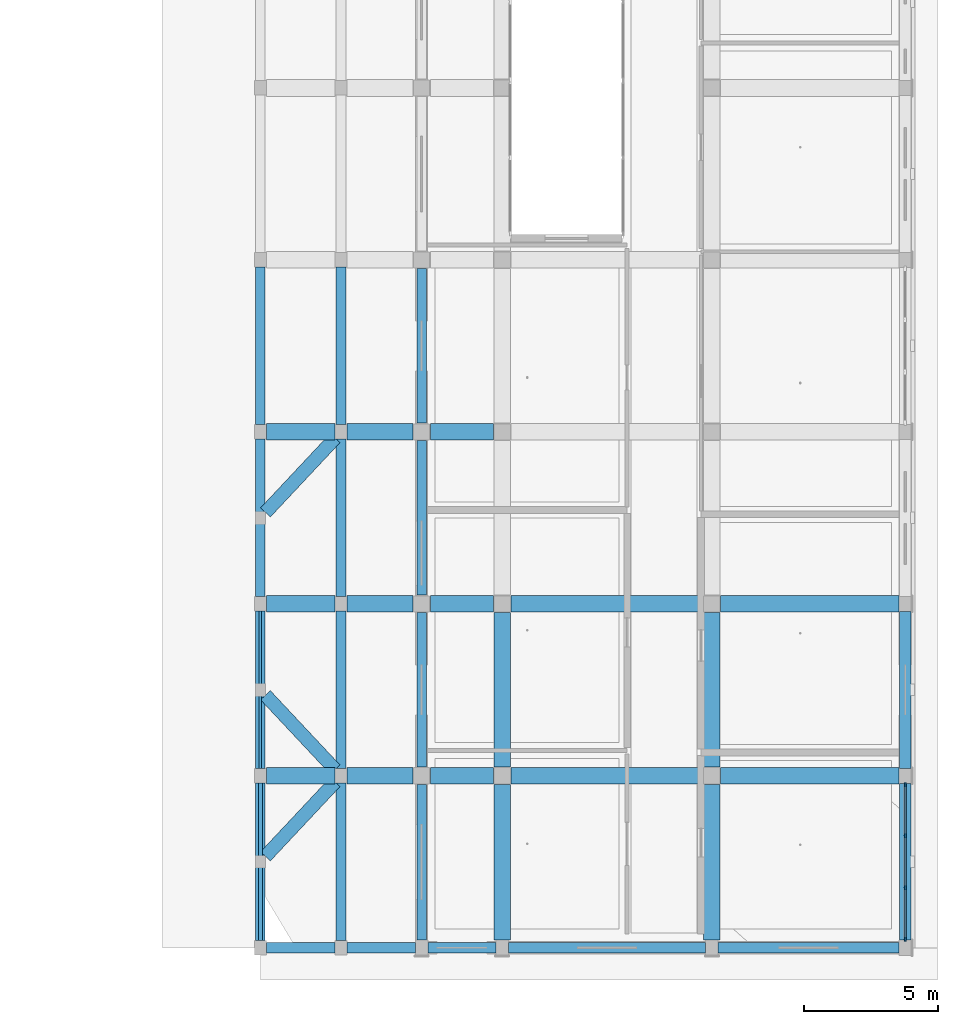
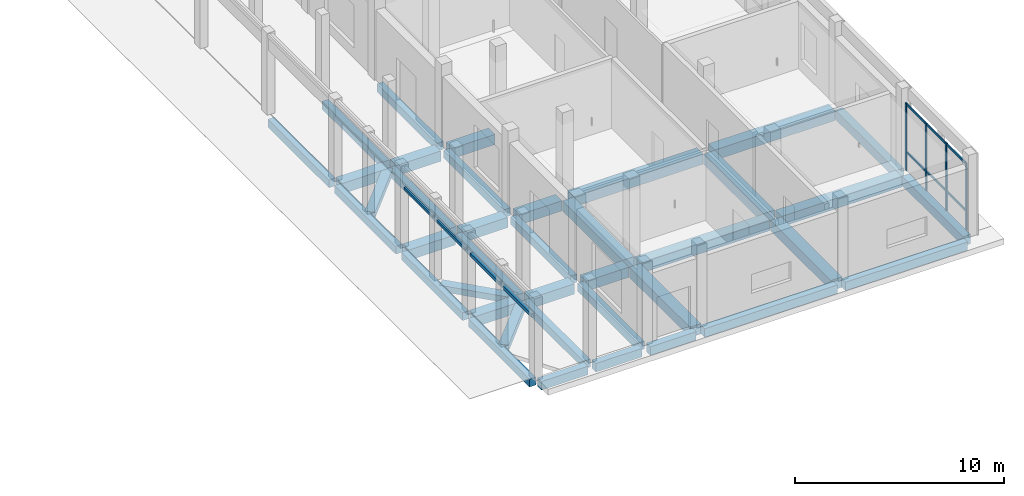
# One storey, part 32 of 88: 43 beams, 6 members, 1 element without a shape of its own.
"""IFC4 building model written with IfcOpenShell, lengths in metres."""

from ifc_helpers import new_model, si_unit, derived_unit, direction, frame, origin, origin_2d, place, context, subcontext, project, spatial, rectangle, hollow_rectangle, extrude, material, material_profile, profile_set, type_object, element, aggregate, save


model = new_model("IFC4")

# Units and contexts
model_context = context("Model", 3, precision=1e-05, world=origin(), true_north=direction((0.0, 1.0)))
body_context = subcontext(model_context, "Body", "Model", "MODEL_VIEW")
ifc_project = project(units=[si_unit("LENGTHUNIT", "METRE"), si_unit("AREAUNIT", "SQUARE_METRE"), si_unit("VOLUMEUNIT", "CUBIC_METRE"), si_unit("PLANEANGLEUNIT", "RADIAN"), si_unit("MASSUNIT", "GRAM", prefix="KILO"), derived_unit("THERMALTRANSMITTANCEUNIT", [(si_unit("POWERUNIT", "WATT"), 1), (si_unit("LENGTHUNIT", "METRE"), -2), (si_unit("THERMODYNAMICTEMPERATUREUNIT", "KELVIN"), -1)])], contexts=[model_context])

# Site, building, storey
site_placement = place(None, origin())
site = spatial("IfcSite", under=ifc_project, at=site_placement, CompositionType="ELEMENT")
building_placement = place(site_placement, origin())
building = spatial("IfcBuilding", under=site, at=building_placement, Name="Braskholm Square Health Centre", CompositionType="ELEMENT")
storey_placement = place(building_placement, origin())
storey = spatial("IfcBuildingStorey", under=building, at=storey_placement, Name="L01", CompositionType="ELEMENT", Elevation=0.0)

# Curtain wall, members
ifc_material_1 = material(Name="Low-E triple insulating glass (VLT 0.64)", Category="glass")
curtain_wall_type = type_object("IfcCurtainWallType", Name="UnitisedCurtainWall6200x4100", PredefinedType="NOTDEFINED", material=ifc_material_1)
curtain_wall_placement = place(storey_placement, origin())
curtain_wall = element("IfcCurtainWall", 1, at=curtain_wall_placement, inside=storey, type_object=curtain_wall_type, Name="East Storefront unitised curtain wall CW-L01-0046", PredefinedType="NOTDEFINED")
ifc_material_2 = material(Name="Architectural bronze anodised aluminium", Category="aluminium")
ifc_material_profile_1 = material_profile(ifc_material_2, rectangle(XDim=0.06494140625, YDim=0.14990234375, at=origin_2d()), Name="ALU-65X150")
ifc_profile_set_1 = profile_set([ifc_material_profile_1], Name="Architectural bronze anodised aluminium")
member_type_1 = type_object("IfcMemberType", Name="CurtainWallMullion65x150", PredefinedType="MULLION", material=ifc_profile_set_1)
member_1_placement = place(storey_placement, frame((163.800048828125, 4.52490234375, 0.0), z_axis=(0.0, 0.0, 1.0), x_axis=(1.0, 0.0, 0.0)))
member_1 = element("IfcMember", 2, at=member_1_placement, type_object=member_type_1, Name="CW-L01-0046 vertical mullion 1", PredefinedType="MULLION", context=body_context, shape_type="SweptSolid", body=[
    extrude(rectangle(XDim=0.06494140625, YDim=0.14990234375, at=origin_2d()), origin(), (0.0, 0.0, 1.0), 3.949951171875),
])
member_2_placement = place(storey_placement, frame((163.800048828125, 6.429931640625, 0.0), z_axis=(0.0, 0.0, 1.0), x_axis=(1.0, 0.0, 0.0)))
member_2 = element("IfcMember", 3, at=member_2_placement, type_object=member_type_1, Name="CW-L01-0046 vertical mullion 2", PredefinedType="MULLION", context=body_context, shape_type="SweptSolid", body=[
    extrude(rectangle(XDim=0.06494140625, YDim=0.14990234375, at=origin_2d()), origin(), (0.0, 0.0, 1.0), 3.949951171875),
])
member_3_placement = place(storey_placement, frame((163.800048828125, 8.3701171875, 0.0), z_axis=(0.0, 0.0, 1.0), x_axis=(1.0, 0.0, 0.0)))
member_3 = element("IfcMember", 4, at=member_3_placement, type_object=member_type_1, Name="CW-L01-0046 vertical mullion 3", PredefinedType="MULLION", context=body_context, shape_type="SweptSolid", body=[
    extrude(rectangle(XDim=0.06494140625, YDim=0.14990234375, at=origin_2d()), origin(), (0.0, 0.0, 1.0), 3.949951171875),
])
member_4_placement = place(storey_placement, frame((163.800048828125, 10.275146484375, 0.0), z_axis=(0.0, 0.0, 1.0), x_axis=(1.0, 0.0, 0.0)))
member_4 = element("IfcMember", 5, at=member_4_placement, type_object=member_type_1, Name="CW-L01-0046 vertical mullion 4", PredefinedType="MULLION", context=body_context, shape_type="SweptSolid", body=[
    extrude(rectangle(XDim=0.06494140625, YDim=0.14990234375, at=origin_2d()), origin(), (0.0, 0.0, 1.0), 3.949951171875),
])
ifc_material_profile_2 = material_profile(ifc_material_2, rectangle(XDim=0.06494140625, YDim=0.1201171875, at=origin_2d()), Name="ALU-65X120")
ifc_profile_set_2 = profile_set([ifc_material_profile_2], Name="Architectural bronze anodised aluminium")
member_type_2 = type_object("IfcMemberType", Name="CurtainWallTransom65x120", PredefinedType="USERDEFINED", material=ifc_profile_set_2)
member_5_placement = place(storey_placement, frame((163.800048828125, 4.534912109375, 1.1201171875), z_axis=(0.0, 1.0, 0.0), x_axis=(-1.0, 0.0, 0.0)))
member_5 = element("IfcMember", 6, at=member_5_placement, type_object=member_type_2, Name="CW-L01-0046 horizontal transom 1", ObjectType="TRANSOM", PredefinedType="USERDEFINED", context=body_context, shape_type="SweptSolid", body=[
    extrude(rectangle(XDim=0.06494140625, YDim=0.1201171875, at=origin_2d()), origin(), (0.0, 0.0, 1.0), 5.72998046875),
])
member_6_placement = place(storey_placement, frame((163.800048828125, 4.534912109375, 3.8798828125), z_axis=(0.0, 1.0, 0.0), x_axis=(-1.0, 0.0, 0.0)))
member_6 = element("IfcMember", 7, at=member_6_placement, type_object=member_type_2, Name="CW-L01-0046 horizontal transom 2", ObjectType="TRANSOM", PredefinedType="USERDEFINED", context=body_context, shape_type="SweptSolid", body=[
    extrude(rectangle(XDim=0.06494140625, YDim=0.1201171875, at=origin_2d()), origin(), (0.0, 0.0, 1.0), 5.72998046875),
])
aggregate(curtain_wall, [member_1, member_2, member_3, member_4, member_5, member_6])

# Beams
ifc_material_3 = material(Name="Steel ASTM A500 Grade C", Category="steel")
ifc_material_profile_3 = material_profile(ifc_material_3, hollow_rectangle(XDim=0.1015625, YDim=0.15234375, WallThickness=0.00732421875, at=origin_2d()), Name="HSS6X4X5/16")
ifc_profile_set_3 = profile_set([ifc_material_profile_3], Name="Steel ASTM A500 Grade C")
beam_type_1 = type_object("IfcBeamType", Name="OpeningLintelSteelHSS6X4", PredefinedType="LINTEL", material=ifc_profile_set_3)
for number, where, z_axis, x_axis, name in (
    (8, (139.800048828125, 10.8701171875, 3.449951171875), (0.0, 1.0, 0.0), (-1.0, 0.0, 0.0), "Colonnade opening lintel 007"),
    (9, (139.800048828125, 13.989990234375, 3.449951171875), (0.0, 1.0, 0.0), (-1.0, 0.0, 0.0), "Colonnade opening lintel 008"),
):
    element("IfcBeam", number, at=place(storey_placement, frame(where, z_axis=z_axis, x_axis=x_axis)), inside=storey, type_object=beam_type_1, Name=name, PredefinedType="LINTEL", context=body_context, shape_type="SweptSolid", body=[
        extrude(hollow_rectangle(XDim=0.1015625, YDim=0.15234375, WallThickness=0.00732421875, at=origin_2d()), origin(), (0.0, 0.0, 1.0), 2.739990234375),
    ])
ifc_material_profile_4 = material_profile(ifc_material_3, hollow_rectangle(XDim=0.15234375, YDim=0.203125, WallThickness=0.0087890625, at=origin_2d()), Name="HSS8X6X3/8")
ifc_profile_set_4 = profile_set([ifc_material_profile_4], Name="Steel ASTM A500 Grade C")
beam_type_2 = type_object("IfcBeamType", Name="OpeningLintelSteelHSS8X6", PredefinedType="LINTEL", material=ifc_profile_set_4)
for number, where, z_axis, x_axis, name in (
    (10, (139.800048828125, 4.469970703125, 3.449951171875), (0.0, 1.0, 0.0), (-1.0, 0.0, 0.0), "Colonnade opening lintel 005"),
    (11, (139.800048828125, 7.590087890625, 3.449951171875), (0.0, 1.0, 0.0), (-1.0, 0.0, 0.0), "Colonnade opening lintel 006"),
):
    element("IfcBeam", number, at=place(storey_placement, frame(where, z_axis=z_axis, x_axis=x_axis)), inside=storey, type_object=beam_type_2, Name=name, PredefinedType="LINTEL", context=body_context, shape_type="SweptSolid", body=[
        extrude(hollow_rectangle(XDim=0.15234375, YDim=0.203125, WallThickness=0.0087890625, at=origin_2d()), origin(), (0.0, 0.0, 1.0), 2.739990234375),
    ])
ifc_material_4 = material(Name="Concrete C35/45 (f'c = 35 MPa)", Category="concrete")
ifc_material_profile_5 = material_profile(ifc_material_4, rectangle(XDim=0.5, YDim=0.360107421875, at=origin_2d()), Name="RCB-500X360")
ifc_profile_set_5 = profile_set([ifc_material_profile_5], Name="Concrete C35/45 (f'c = 35 MPa)")
beam_type_3 = type_object("IfcBeamType", Name="PrimaryBandBeam500x360", PredefinedType="BEAM", material=ifc_profile_set_5)
beam_1_placement = place(storey_placement, frame((139.988525390625, 7.601318359375, -0.405029296875), z_axis=(0.683973263401, 0.729507076699, 0.0), x_axis=(-0.729507076699, 0.683973263401, 0.0)))
element("IfcBeam", 12, at=beam_1_placement, inside=storey, type_object=beam_type_3, Name="Tie beam PIL04 L01", PredefinedType="BEAM", context=body_context, shape_type="SweptSolid", body=[
    extrude(rectangle(XDim=0.5, YDim=0.360107421875, at=origin_2d()), origin(), (0.0, 0.0, 1.0), 3.790771484375),
])
for number, where, z_axis, x_axis, name in (
    (13, (139.988525390625, 13.598876953125, -0.405029296875), (0.683941128881, -0.72953720414, 0.0), (0.72953720414, 0.683941128881, 0.0), "Tie beam PIL05 L01"),
    (14, (139.988525390625, 20.401123046875, -0.405029296875), (0.683941128881, 0.72953720414, 0.0), (-0.72953720414, 0.683941128881, 0.0), "Tie beam PIL06 L01"),
):
    element("IfcBeam", number, at=place(storey_placement, frame(where, z_axis=z_axis, x_axis=x_axis)), inside=storey, type_object=beam_type_3, Name=name, PredefinedType="BEAM", context=body_context, shape_type="SweptSolid", body=[
        extrude(rectangle(XDim=0.5, YDim=0.360107421875, at=origin_2d()), origin(), (0.0, 0.0, 1.0), 3.791015625),
    ])
ifc_material_5 = material(Name="Concrete C40/50 (f'c = 40 MPa)", Category="concrete")
ifc_material_profile_6 = material_profile(ifc_material_5, rectangle(XDim=0.6201171875, YDim=0.60009765625, at=origin_2d()), Name="RCB-620X600")
ifc_profile_set_6 = profile_set([ifc_material_profile_6], Name="Concrete C40/50 (f'c = 40 MPa)")
beam_type_4 = type_object("IfcBeamType", Name="PrimarySubstructureBeam620x600", PredefinedType="BEAM", material=ifc_profile_set_6)
beam_2_placement = place(storey_placement, frame((148.800048828125, 4.47998046875, -0.60009765625), z_axis=(0.0, 1.0, 0.0), x_axis=(-1.0, 0.0, 0.0)))
element("IfcBeam", 15, at=beam_2_placement, inside=storey, type_object=beam_type_4, Name="Beam 20/A-B L01", PredefinedType="BEAM", context=body_context, shape_type="SweptSolid", body=[
    extrude(rectangle(XDim=0.6201171875, YDim=0.60009765625, at=origin_2d()), origin(), (0.0, 0.0, 1.0), 5.794921875),
])
beam_3_placement = place(storey_placement, frame((148.800048828125, 10.925048828125, -0.60009765625), z_axis=(0.0, 1.0, 0.0), x_axis=(-1.0, 0.0, 0.0)))
element("IfcBeam", 16, at=beam_3_placement, inside=storey, type_object=beam_type_4, Name="Beam 20/B-C L01", PredefinedType="BEAM", context=body_context, shape_type="SweptSolid", body=[
    extrude(rectangle(XDim=0.6201171875, YDim=0.60009765625, at=origin_2d()), origin(), (0.0, 0.0, 1.0), 5.75),
])
beam_4_placement = place(storey_placement, frame((156.60009765625, 4.47998046875, -0.60009765625), z_axis=(0.0, 1.0, 0.0), x_axis=(-1.0, 0.0, 0.0)))
element("IfcBeam", 17, at=beam_4_placement, inside=storey, type_object=beam_type_4, Name="Beam 21/A-B L01", PredefinedType="BEAM", context=body_context, shape_type="SweptSolid", body=[
    extrude(rectangle(XDim=0.6201171875, YDim=0.60009765625, at=origin_2d()), origin(), (0.0, 0.0, 1.0), 5.794921875),
])
beam_5_placement = place(storey_placement, frame((156.60009765625, 10.925048828125, -0.60009765625), z_axis=(0.0, 1.0, 0.0), x_axis=(-1.0, 0.0, 0.0)))
element("IfcBeam", 18, at=beam_5_placement, inside=storey, type_object=beam_type_4, Name="Beam 21/B-C L01", PredefinedType="BEAM", context=body_context, shape_type="SweptSolid", body=[
    extrude(rectangle(XDim=0.6201171875, YDim=0.60009765625, at=origin_2d()), origin(), (0.0, 0.0, 1.0), 5.75),
])
beam_6_placement = place(storey_placement, frame((140.02001953125, 10.60009765625, -0.52490234375), z_axis=(1.0, 0.0, 0.0), x_axis=(0.0, 1.0, 0.0)))
element("IfcBeam", 19, at=beam_6_placement, inside=storey, type_object=beam_type_4, Name="Beam 17-18/B L01", PredefinedType="BEAM", context=body_context, shape_type="SweptSolid", body=[
    extrude(rectangle(XDim=0.6201171875, YDim=0.60009765625, at=origin_2d()), origin(), (0.0, 0.0, 1.0), 2.56005859375),
])
beam_7_placement = place(storey_placement, frame((143.02001953125, 10.60009765625, -0.52490234375), z_axis=(1.0, 0.0, 0.0), x_axis=(0.0, 1.0, 0.0)))
element("IfcBeam", 20, at=beam_7_placement, inside=storey, type_object=beam_type_4, Name="Beam 18-19/B L01", PredefinedType="BEAM", context=body_context, shape_type="SweptSolid", body=[
    extrude(rectangle(XDim=0.6201171875, YDim=0.60009765625, at=origin_2d()), origin(), (0.0, 0.0, 1.0), 2.455078125),
])
beam_8_placement = place(storey_placement, frame((146.125, 10.60009765625, -0.60009765625), z_axis=(1.0, 0.0, 0.0), x_axis=(0.0, 1.0, 0.0)))
element("IfcBeam", 21, at=beam_8_placement, inside=storey, type_object=beam_type_4, Name="Beam 19-20/B L01", PredefinedType="BEAM", context=body_context, shape_type="SweptSolid", body=[
    extrude(rectangle(XDim=0.6201171875, YDim=0.60009765625, at=origin_2d()), origin(), (0.0, 0.0, 1.0), 2.35009765625),
])
beam_9_placement = place(storey_placement, frame((149.125, 10.60009765625, -0.60009765625), z_axis=(1.0, 0.0, 0.0), x_axis=(0.0, 1.0, 0.0)))
element("IfcBeam", 22, at=beam_9_placement, inside=storey, type_object=beam_type_4, Name="Beam 20-21/B L01", PredefinedType="BEAM", context=body_context, shape_type="SweptSolid", body=[
    extrude(rectangle(XDim=0.6201171875, YDim=0.60009765625, at=origin_2d()), origin(), (0.0, 0.0, 1.0), 7.14990234375),
])
beam_10_placement = place(storey_placement, frame((156.925048828125, 10.60009765625, -0.60009765625), z_axis=(1.0, 0.0, 0.0), x_axis=(0.0, 1.0, 0.0)))
element("IfcBeam", 23, at=beam_10_placement, inside=storey, type_object=beam_type_4, Name="Beam 21-22/B L01", PredefinedType="BEAM", context=body_context, shape_type="SweptSolid", body=[
    extrude(rectangle(XDim=0.6201171875, YDim=0.60009765625, at=origin_2d()), origin(), (0.0, 0.0, 1.0), 6.64501953125),
])
beam_11_placement = place(storey_placement, frame((140.02001953125, 17.0, -0.52490234375), z_axis=(1.0, 0.0, 0.0), x_axis=(0.0, 1.0, 0.0)))
element("IfcBeam", 24, at=beam_11_placement, inside=storey, type_object=beam_type_4, Name="Beam 17-18/C L01", PredefinedType="BEAM", context=body_context, shape_type="SweptSolid", body=[
    extrude(rectangle(XDim=0.6201171875, YDim=0.60009765625, at=origin_2d()), origin(), (0.0, 0.0, 1.0), 2.56005859375),
])
beam_12_placement = place(storey_placement, frame((143.02001953125, 17.0, -0.52490234375), z_axis=(1.0, 0.0, 0.0), x_axis=(0.0, 1.0, 0.0)))
element("IfcBeam", 25, at=beam_12_placement, inside=storey, type_object=beam_type_4, Name="Beam 18-19/C L01", PredefinedType="BEAM", context=body_context, shape_type="SweptSolid", body=[
    extrude(rectangle(XDim=0.6201171875, YDim=0.60009765625, at=origin_2d()), origin(), (0.0, 0.0, 1.0), 2.455078125),
])
beam_13_placement = place(storey_placement, frame((146.125, 17.0, -0.60009765625), z_axis=(1.0, 0.0, 0.0), x_axis=(0.0, 1.0, 0.0)))
element("IfcBeam", 26, at=beam_13_placement, inside=storey, type_object=beam_type_4, Name="Beam 19-20/C L01", PredefinedType="BEAM", context=body_context, shape_type="SweptSolid", body=[
    extrude(rectangle(XDim=0.6201171875, YDim=0.60009765625, at=origin_2d()), origin(), (0.0, 0.0, 1.0), 2.35009765625),
])
beam_14_placement = place(storey_placement, frame((149.125, 17.0, -0.60009765625), z_axis=(1.0, 0.0, 0.0), x_axis=(0.0, 1.0, 0.0)))
element("IfcBeam", 27, at=beam_14_placement, inside=storey, type_object=beam_type_4, Name="Beam 20-21/C L01", PredefinedType="BEAM", context=body_context, shape_type="SweptSolid", body=[
    extrude(rectangle(XDim=0.6201171875, YDim=0.60009765625, at=origin_2d()), origin(), (0.0, 0.0, 1.0), 7.14990234375),
])
beam_15_placement = place(storey_placement, frame((156.925048828125, 17.0, -0.60009765625), z_axis=(1.0, 0.0, 0.0), x_axis=(0.0, 1.0, 0.0)))
element("IfcBeam", 28, at=beam_15_placement, inside=storey, type_object=beam_type_4, Name="Beam 21-22/C L01", PredefinedType="BEAM", context=body_context, shape_type="SweptSolid", body=[
    extrude(rectangle(XDim=0.6201171875, YDim=0.60009765625, at=origin_2d()), origin(), (0.0, 0.0, 1.0), 6.64501953125),
])
beam_16_placement = place(storey_placement, frame((140.02001953125, 23.39990234375, -0.52490234375), z_axis=(1.0, 0.0, 0.0), x_axis=(0.0, 1.0, 0.0)))
element("IfcBeam", 29, at=beam_16_placement, inside=storey, type_object=beam_type_4, Name="Beam 17-18/D L01", PredefinedType="BEAM", context=body_context, shape_type="SweptSolid", body=[
    extrude(rectangle(XDim=0.6201171875, YDim=0.60009765625, at=origin_2d()), origin(), (0.0, 0.0, 1.0), 2.56005859375),
])
beam_17_placement = place(storey_placement, frame((143.02001953125, 23.39990234375, -0.52490234375), z_axis=(1.0, 0.0, 0.0), x_axis=(0.0, 1.0, 0.0)))
element("IfcBeam", 30, at=beam_17_placement, inside=storey, type_object=beam_type_4, Name="Beam 18-19/D L01", PredefinedType="BEAM", context=body_context, shape_type="SweptSolid", body=[
    extrude(rectangle(XDim=0.6201171875, YDim=0.60009765625, at=origin_2d()), origin(), (0.0, 0.0, 1.0), 2.455078125),
])
beam_18_placement = place(storey_placement, frame((146.125, 23.39990234375, -0.60009765625), z_axis=(1.0, 0.0, 0.0), x_axis=(0.0, 1.0, 0.0)))
element("IfcBeam", 31, at=beam_18_placement, inside=storey, type_object=beam_type_4, Name="Beam 19-20/D L01", PredefinedType="BEAM", context=body_context, shape_type="SweptSolid", body=[
    extrude(rectangle(XDim=0.6201171875, YDim=0.60009765625, at=origin_2d()), origin(), (0.0, 0.0, 1.0), 2.35009765625),
])
ifc_material_6 = material(Name="Precast concrete C40/50 architectural white", Category="concrete")
ifc_material_profile_7 = material_profile(ifc_material_6, rectangle(XDim=0.3798828125, YDim=0.5, at=origin_2d()), Name="RCB-380X500")
ifc_profile_set_7 = profile_set([ifc_material_profile_7], Name="Precast concrete C40/50 architectural white")
beam_type_5 = type_object("IfcBeamType", Name="SpandrelPrecastEdge380x500", PredefinedType="SPANDREL", material=ifc_profile_set_7)
beam_19_placement = place(storey_placement, frame((140.02001953125, 4.199951171875, -0.47509765625), z_axis=(1.0, 0.0, 0.0), x_axis=(0.0, 1.0, 0.0)))
element("IfcBeam", 32, at=beam_19_placement, inside=storey, type_object=beam_type_5, Name="Beam 17-18/A L01", PredefinedType="SPANDREL", context=body_context, shape_type="SweptSolid", body=[
    extrude(rectangle(XDim=0.3798828125, YDim=0.5, at=origin_2d()), origin(), (0.0, 0.0, 1.0), 2.56005859375),
])
beam_20_placement = place(storey_placement, frame((143.02001953125, 4.199951171875, -0.47509765625), z_axis=(1.0, 0.0, 0.0), x_axis=(0.0, 1.0, 0.0)))
element("IfcBeam", 33, at=beam_20_placement, inside=storey, type_object=beam_type_5, Name="Beam 18-19/A L01", PredefinedType="SPANDREL", context=body_context, shape_type="SweptSolid", body=[
    extrude(rectangle(XDim=0.3798828125, YDim=0.5, at=origin_2d()), origin(), (0.0, 0.0, 1.0), 2.550048828125),
])
beam_21_placement = place(storey_placement, frame((146.030029296875, 4.199951171875, -0.550048828125), z_axis=(1.0, 0.0, 0.0), x_axis=(0.0, 1.0, 0.0)))
element("IfcBeam", 34, at=beam_21_placement, inside=storey, type_object=beam_type_5, Name="Beam 19-20/A L01", PredefinedType="SPANDREL", context=body_context, shape_type="SweptSolid", body=[
    extrude(rectangle(XDim=0.3798828125, YDim=0.5, at=origin_2d()), origin(), (0.0, 0.0, 1.0), 2.5400390625),
])
beam_22_placement = place(storey_placement, frame((149.030029296875, 4.199951171875, -0.550048828125), z_axis=(1.0, 0.0, 0.0), x_axis=(0.0, 1.0, 0.0)))
element("IfcBeam", 35, at=beam_22_placement, inside=storey, type_object=beam_type_5, Name="Beam 20-21/A L01", PredefinedType="SPANDREL", context=body_context, shape_type="SweptSolid", body=[
    extrude(rectangle(XDim=0.3798828125, YDim=0.5, at=origin_2d()), origin(), (0.0, 0.0, 1.0), 7.340087890625),
])
beam_23_placement = place(storey_placement, frame((156.830078125, 4.199951171875, -0.550048828125), z_axis=(1.0, 0.0, 0.0), x_axis=(0.0, 1.0, 0.0)))
element("IfcBeam", 36, at=beam_23_placement, inside=storey, type_object=beam_type_5, Name="Beam 21-22/A L01", PredefinedType="SPANDREL", context=body_context, shape_type="SweptSolid", body=[
    extrude(rectangle(XDim=0.3798828125, YDim=0.5, at=origin_2d()), origin(), (0.0, 0.0, 1.0), 6.739990234375),
])
ifc_material_profile_8 = material_profile(ifc_material_6, rectangle(XDim=0.419921875, YDim=0.550048828125, at=origin_2d()), Name="RCB-420X550")
ifc_profile_set_8 = profile_set([ifc_material_profile_8], Name="Precast concrete C40/50 architectural white")
beam_type_6 = type_object("IfcBeamType", Name="SpandrelPrecastLedge420x550", PredefinedType="SPANDREL", material=ifc_profile_set_8)
for number, where, z_axis, x_axis, name in (
    (37, (163.800048828125, 4.47998046875, -0.574951171875), (0.0, 1.0, 0.0), (-1.0, 0.0, 0.0), "Beam 22/A-B L01"),
    (38, (163.800048828125, 10.8798828125, -0.574951171875), (0.0, 1.0, 0.0), (-1.0, 0.0, 0.0), "Beam 22/B-C L01"),
):
    element("IfcBeam", number, at=place(storey_placement, frame(where, z_axis=z_axis, x_axis=x_axis)), inside=storey, type_object=beam_type_6, Name=name, PredefinedType="SPANDREL", context=body_context, shape_type="SweptSolid", body=[
        extrude(rectangle(XDim=0.419921875, YDim=0.550048828125, at=origin_2d()), origin(), (0.0, 0.0, 1.0), 5.840087890625),
    ])
ifc_material_profile_9 = material_profile(ifc_material_6, rectangle(XDim=0.360107421875, YDim=0.4599609375, at=origin_2d()), Name="RCB-360X460")
ifc_profile_set_9 = profile_set([ifc_material_profile_9], Name="Precast concrete C40/50 architectural white")
beam_type_7 = type_object("IfcBeamType", Name="SpandrelTerraceEdge360x460", PredefinedType="SPANDREL", material=ifc_profile_set_9)
beam_24_placement = place(storey_placement, frame((139.800048828125, 4.469970703125, -0.455078125), z_axis=(0.0, 1.0, 0.0), x_axis=(-1.0, 0.0, 0.0)))
element("IfcBeam", 39, at=beam_24_placement, inside=storey, type_object=beam_type_7, Name="Beam 17/A-B L01", PredefinedType="SPANDREL", context=body_context, shape_type="SweptSolid", body=[
    extrude(rectangle(XDim=0.360107421875, YDim=0.4599609375, at=origin_2d()), origin(), (0.0, 0.0, 1.0), 5.860107421875),
])
for number, where, z_axis, x_axis, name in (
    (40, (139.800048828125, 10.8701171875, -0.455078125), (0.0, 1.0, 0.0), (-1.0, 0.0, 0.0), "Beam 17/B-C L01"),
    (41, (139.800048828125, 17.27001953125, -0.455078125), (0.0, 1.0, 0.0), (-1.0, 0.0, 0.0), "Beam 17/C-D L01"),
):
    element("IfcBeam", number, at=place(storey_placement, frame(where, z_axis=z_axis, x_axis=x_axis)), inside=storey, type_object=beam_type_7, Name=name, PredefinedType="SPANDREL", context=body_context, shape_type="SweptSolid", body=[
        extrude(rectangle(XDim=0.360107421875, YDim=0.4599609375, at=origin_2d()), origin(), (0.0, 0.0, 1.0), 5.85986328125),
    ])
for number, where, z_axis, x_axis, name in (
    (42, (139.800048828125, 23.669921875, -0.455078125), (0.0, 1.0, 0.0), (-1.0, 0.0, 0.0), "Beam 17/D-E L01"),
    (43, (142.800048828125, 4.469970703125, -0.455078125), (0.0, 1.0, 0.0), (-1.0, 0.0, 0.0), "Beam 18/A-B L01"),
):
    element("IfcBeam", number, at=place(storey_placement, frame(where, z_axis=z_axis, x_axis=x_axis)), inside=storey, type_object=beam_type_7, Name=name, PredefinedType="SPANDREL", context=body_context, shape_type="SweptSolid", body=[
        extrude(rectangle(XDim=0.360107421875, YDim=0.4599609375, at=origin_2d()), origin(), (0.0, 0.0, 1.0), 5.860107421875),
    ])
for number, where, z_axis, x_axis, name in (
    (44, (142.800048828125, 10.8701171875, -0.455078125), (0.0, 1.0, 0.0), (-1.0, 0.0, 0.0), "Beam 18/B-C L01"),
    (45, (142.800048828125, 17.27001953125, -0.455078125), (0.0, 1.0, 0.0), (-1.0, 0.0, 0.0), "Beam 18/C-D L01"),
):
    element("IfcBeam", number, at=place(storey_placement, frame(where, z_axis=z_axis, x_axis=x_axis)), inside=storey, type_object=beam_type_7, Name=name, PredefinedType="SPANDREL", context=body_context, shape_type="SweptSolid", body=[
        extrude(rectangle(XDim=0.360107421875, YDim=0.4599609375, at=origin_2d()), origin(), (0.0, 0.0, 1.0), 5.85986328125),
    ])
beam_25_placement = place(storey_placement, frame((142.800048828125, 23.669921875, -0.455078125), z_axis=(0.0, 1.0, 0.0), x_axis=(-1.0, 0.0, 0.0)))
element("IfcBeam", 46, at=beam_25_placement, inside=storey, type_object=beam_type_7, Name="Beam 18/D-E L01", PredefinedType="SPANDREL", context=body_context, shape_type="SweptSolid", body=[
    extrude(rectangle(XDim=0.360107421875, YDim=0.4599609375, at=origin_2d()), origin(), (0.0, 0.0, 1.0), 5.860107421875),
])
beam_26_placement = place(storey_placement, frame((145.800048828125, 4.47998046875, -0.455078125), z_axis=(0.0, 1.0, 0.0), x_axis=(-1.0, 0.0, 0.0)))
element("IfcBeam", 47, at=beam_26_placement, inside=storey, type_object=beam_type_7, Name="Beam 19/A-B L01", PredefinedType="SPANDREL", context=body_context, shape_type="SweptSolid", body=[
    extrude(rectangle(XDim=0.360107421875, YDim=0.4599609375, at=origin_2d()), origin(), (0.0, 0.0, 1.0), 5.794921875),
])
for number, where, z_axis, x_axis, name in (
    (48, (145.800048828125, 10.925048828125, -0.455078125), (0.0, 1.0, 0.0), (-1.0, 0.0, 0.0), "Beam 19/B-C L01"),
    (49, (145.800048828125, 17.324951171875, -0.455078125), (0.0, 1.0, 0.0), (-1.0, 0.0, 0.0), "Beam 19/C-D L01"),
    (50, (145.800048828125, 23.72509765625, -0.455078125), (0.0, 1.0, 0.0), (-1.0, 0.0, 0.0), "Beam 19/D-E L01"),
):
    element("IfcBeam", number, at=place(storey_placement, frame(where, z_axis=z_axis, x_axis=x_axis)), inside=storey, type_object=beam_type_7, Name=name, PredefinedType="SPANDREL", context=body_context, shape_type="SweptSolid", body=[
        extrude(rectangle(XDim=0.360107421875, YDim=0.4599609375, at=origin_2d()), origin(), (0.0, 0.0, 1.0), 5.75),
    ])

save(model, "model.ifc")
